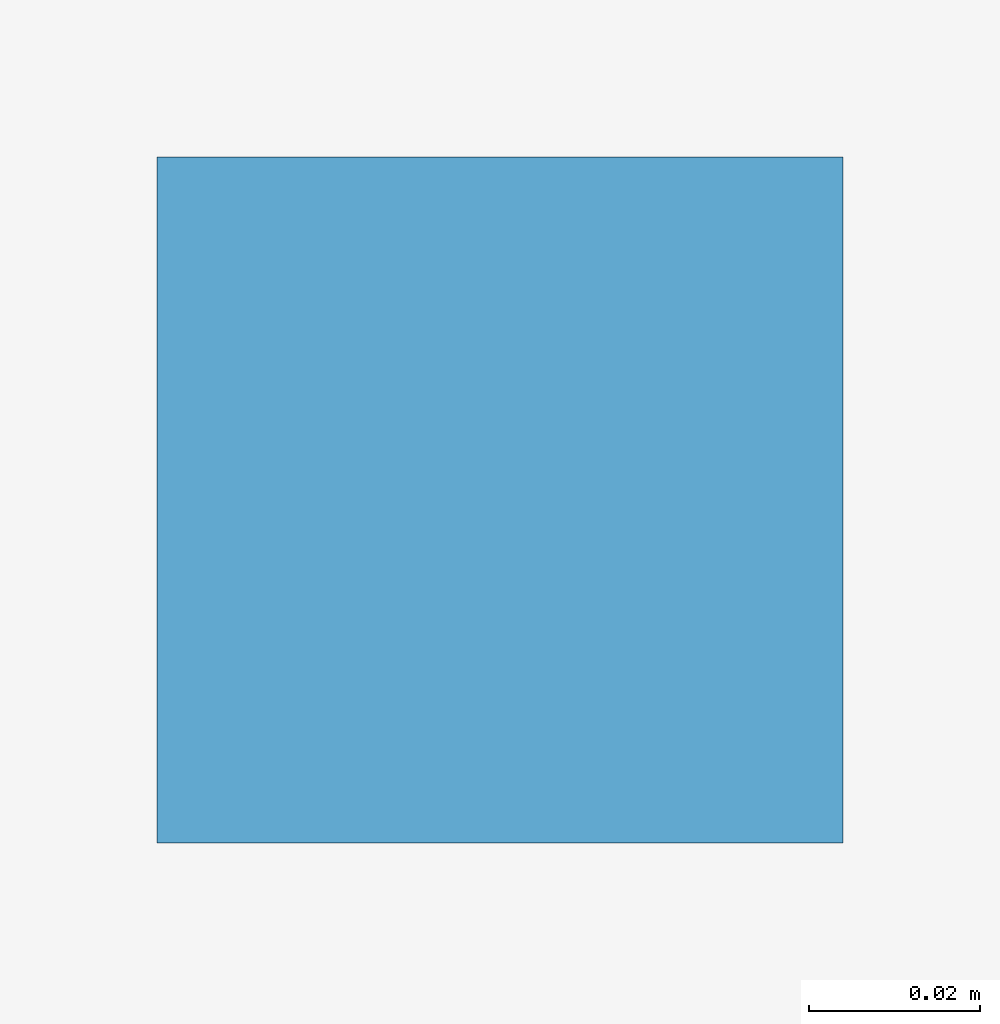
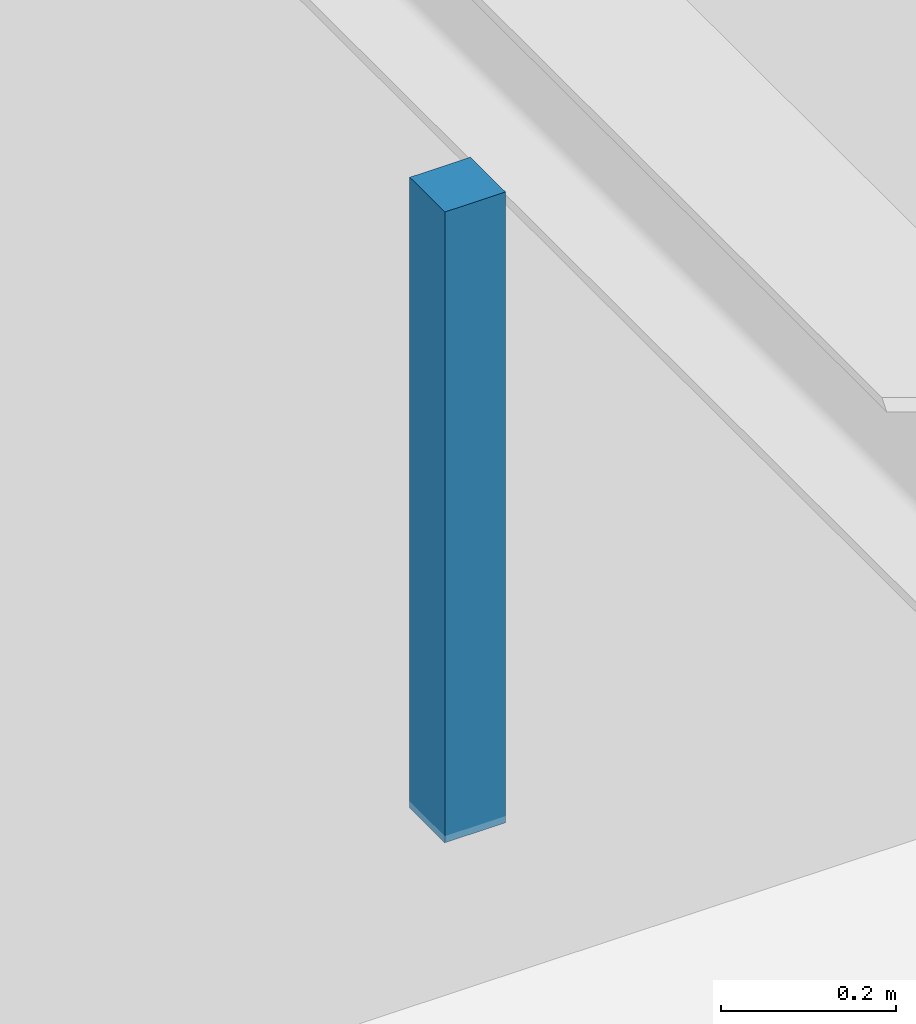
# One storey, part 122 of 136: 1 discrete accessory.
"""IFC4 building model written with IfcOpenShell, lengths in metres."""

from ifc_helpers import new_model, si_unit, direction, frame, origin, origin_2d, place, context, subcontext, project, spatial, rectangle, extrude, material, type_object, element, save


model = new_model("IFC4")

# Units and contexts
model_context = context("Model", 3, precision=1e-05, world=origin(), true_north=direction((0.0, 1.0)))
body_context = subcontext(model_context, "Body", "Model", "MODEL_VIEW")
ifc_project = project(units=[si_unit("LENGTHUNIT", "METRE"), si_unit("AREAUNIT", "SQUARE_METRE"), si_unit("VOLUMEUNIT", "CUBIC_METRE"), si_unit("PLANEANGLEUNIT", "RADIAN"), si_unit("MASSUNIT", "GRAM", prefix="KILO")], contexts=[model_context])

# Site, building, storey
site_placement = place(None, origin())
site = spatial("IfcSite", under=ifc_project, at=site_placement, CompositionType="ELEMENT")
building_placement = place(site_placement, origin())
building = spatial("IfcBuilding", under=site, at=building_placement, Name="Koriwan Promenade Central Fire Station", CompositionType="ELEMENT")
storey_placement = place(building_placement, frame((0.0, 0.0, 5.39990234375)))
storey = spatial("IfcBuildingStorey", under=building, at=storey_placement, Name="L01", CompositionType="ELEMENT", Elevation=5.39990234375)

# Discrete accessory
ifc_material = material(Name="Steel ASTM A572 Grade 50", Category="steel")
discrete_accessory_type = type_object("IfcDiscreteAccessoryType", Name="CeilingHanger_Bracket", PredefinedType="BRACKET", material=ifc_material)
discrete_accessory_placement = place(storey_placement, frame((31.0, 3.60009765625, 3.09521484375), z_axis=(0.0, 0.0, 1.0), x_axis=(1.0, 0.0, 0.0)))
element("IfcDiscreteAccessory", 1, at=discrete_accessory_placement, inside=storey, type_object=discrete_accessory_type, Name="Speaker Briefing and Seminar Room acoustic ceiling seismic hanger", PredefinedType="BRACKET", context=body_context, shape_type="SweptSolid", body=[
    extrude(rectangle(XDim=0.080078125, YDim=0.080078125, at=origin_2d()), origin(), (0.0, 0.0, 1.0), 0.8798828125),
])

save(model, "model.ifc")
